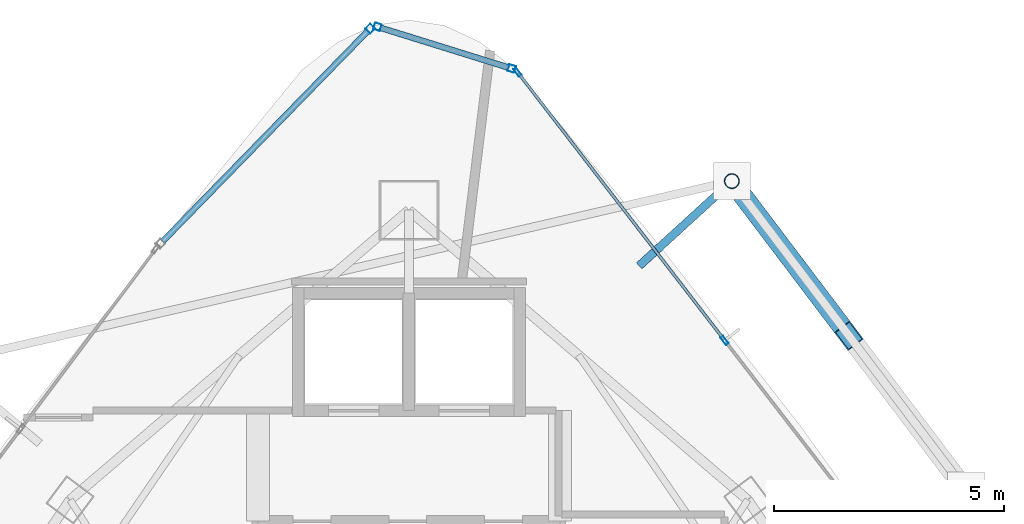
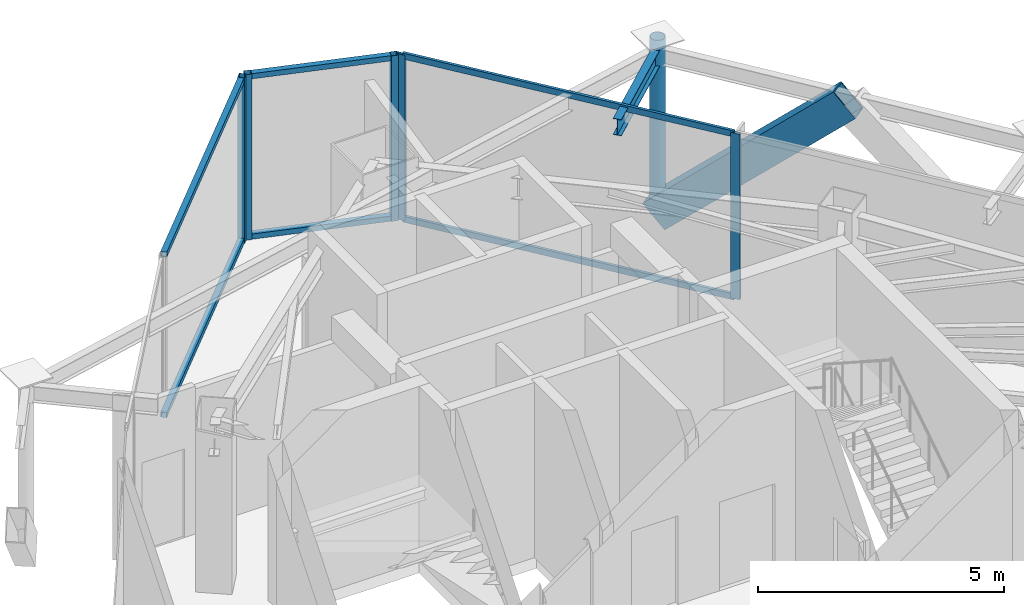
# One storey, part 18 of 25: 13 members, 1 beam, 3 elements without a shape of their own.
"""IFC4 building model written with IfcOpenShell, lengths in metres."""

from ifc_helpers import new_model, si_unit, direction, frame, origin, origin_2d, place, context, subcontext, project, spatial, hollow_rectangle, hollow_circle, i_section, extrude, material, layer, layer_set, material_profile, profile_set, type_object, element, aggregate, save


model = new_model("IFC4")

# Units and contexts
model_context = context("Model", 3, precision=1e-05, world=origin(), true_north=direction((0.0, 1.0)))
body_context = subcontext(model_context, "Body", "Model", "MODEL_VIEW")
ifc_project = project(units=[si_unit("LENGTHUNIT", "METRE"), si_unit("AREAUNIT", "SQUARE_METRE"), si_unit("VOLUMEUNIT", "CUBIC_METRE"), si_unit("PLANEANGLEUNIT", "RADIAN"), si_unit("MASSUNIT", "GRAM", prefix="KILO")], contexts=[model_context])

# Site, building, storey
site_placement = place(None, origin())
site = spatial("IfcSite", under=ifc_project, at=site_placement, CompositionType="ELEMENT")
building_placement = place(site_placement, origin())
building = spatial("IfcBuilding", under=site, at=building_placement, Name="Orvanel Arch Residences", CompositionType="ELEMENT")
storey_placement = place(building_placement, frame((0.0, 0.0, 236.0)))
storey = spatial("IfcBuildingStorey", under=building, at=storey_placement, Name="L67", CompositionType="ELEMENT", Elevation=236.0)

# Member
ifc_material_1 = material(Name="Structural steel AS/NZS 3678 Grade 350", Category="steel")
ifc_material_profile_1 = material_profile(ifc_material_1, hollow_rectangle(XDim=0.419921875, YDim=0.719970703125, WallThickness=0.02490234375, at=origin_2d()), Name="RHS720x420x25")
ifc_profile_set_1 = profile_set([ifc_material_profile_1], Name="Structural steel AS/NZS 3678 Grade 350")
member_type_1 = type_object("IfcMemberType", Name="BR-720RHS-EXT", PredefinedType="BRACE", material=ifc_profile_set_1)
member_1_placement = place(storey_placement, frame((40.007080078125, 42.029052734375, 0.0), z_axis=(0.442350381617, -0.58427325492, 0.6804049555), x_axis=(0.79727658903, 0.603614148761, 0.0)))
element("IfcMember", 1, at=member_1_placement, inside=storey, type_object=member_type_1, Name="L67 Exterior Sky-Garden V-Frame Chevron F3B3.2", PredefinedType="BRACE", context=body_context, shape_type="SweptSolid", body=[
    extrude(hollow_rectangle(XDim=0.419921875, YDim=0.719970703125, WallThickness=0.02490234375, at=origin_2d()), origin(), (0.0, 0.0, 1.0), 5.7421875),
])

# Curtain wall, members
ifc_material_2 = material(Name="Bronze-anodised aluminium AA6063-T6", Category="aluminium")
ifc_layer_1 = layer(ifc_material_2, 0.18994140625)
ifc_layer_set_1 = layer_set([ifc_layer_1], Name="Bronze-anodised aluminium AA6063-T6")
curtain_wall_type_1 = type_object("IfcCurtainWallType", Name="CW5-CRN-SYS", PredefinedType="NOTDEFINED", material=ifc_layer_set_1)
curtain_wall_1_placement = place(storey_placement, origin())
curtain_wall_1 = element("IfcCurtainWall", 2, at=curtain_wall_1_placement, inside=storey, type_object=curtain_wall_type_1, Name="L67 CW5-CRN-SYS Unitised Curtain Wall", PredefinedType="NOTDEFINED")
ifc_material_profile_2 = material_profile(ifc_material_2, hollow_rectangle(XDim=0.14990234375, YDim=0.14990234375, WallThickness=0.0048828125, at=origin_2d()), Name="ALU150x150x5")
ifc_profile_set_2 = profile_set([ifc_material_profile_2], Name="Bronze-anodised aluminium AA6063-T6")
member_type_2 = type_object("IfcMemberType", Name="MUL-150x150", PredefinedType="MULLION", material=ifc_profile_set_2)
member_2_placement = place(storey_placement, frame((35.23046875, 44.47119140625, 0.0), z_axis=(0.0, 0.0, 1.0), x_axis=(-0.297047566696, -0.954862682861, 0.0)))
member_2 = element("IfcMember", 3, at=member_2_placement, type_object=member_type_2, Name="CW-S5 mullion 1", PredefinedType="MULLION", context=body_context, shape_type="SweptSolid", body=[
    extrude(hollow_rectangle(XDim=0.14990234375, YDim=0.14990234375, WallThickness=0.0048828125, at=origin_2d()), origin(), (0.0, 0.0, 1.0), 4.110107421875),
])
member_3_placement = place(storey_placement, frame((32.316650390625, 45.377685546875, 0.0), z_axis=(0.0, 0.0, 1.0), x_axis=(-0.297047566696, -0.954862682861, 0.0)))
member_3 = element("IfcMember", 4, at=member_3_placement, type_object=member_type_2, Name="CW-S5 mullion 2", PredefinedType="MULLION", context=body_context, shape_type="SweptSolid", body=[
    extrude(hollow_rectangle(XDim=0.14990234375, YDim=0.14990234375, WallThickness=0.0048828125, at=origin_2d()), origin(), (0.0, 0.0, 1.0), 4.110107421875),
])

# Curtain wall, member
curtain_wall_2_placement = place(storey_placement, origin())
curtain_wall_2 = element("IfcCurtainWall", 5, at=curtain_wall_2_placement, inside=storey, type_object=curtain_wall_type_1, Name="L67 CW5-CRN-SYS Unitised Curtain Wall", PredefinedType="NOTDEFINED")
member_4_placement = place(storey_placement, frame((32.15966796875, 45.33837890625, 0.0), z_axis=(0.0, 0.0, 1.0), x_axis=(0.715820319149, -0.698284519873, 0.0)))
member_4 = element("IfcMember", 6, at=member_4_placement, type_object=member_type_2, Name="CW-S5 mullion 1", PredefinedType="MULLION", context=body_context, shape_type="SweptSolid", body=[
    extrude(hollow_rectangle(XDim=0.14990234375, YDim=0.14990234375, WallThickness=0.0048828125, at=origin_2d()), origin(), (0.0, 0.0, 1.0), 4.110107421875),
])

# Curtain wall, members
ifc_layer_2 = layer(ifc_material_2, 0.195068359375)
ifc_layer_set_2 = layer_set([ifc_layer_2], Name="Bronze-anodised aluminium AA6063-T6")
curtain_wall_type_2 = type_object("IfcCurtainWallType", Name="CW6-COM-SYS", PredefinedType="NOTDEFINED", material=ifc_layer_set_2)
curtain_wall_3_placement = place(storey_placement, origin())
curtain_wall_3 = element("IfcCurtainWall", 7, at=curtain_wall_3_placement, inside=storey, type_object=curtain_wall_type_2, Name="L67 CW6-COM-SYS Unitised Curtain Wall", PredefinedType="NOTDEFINED")
ifc_material_profile_3 = material_profile(ifc_material_2, hollow_rectangle(XDim=0.074951171875, YDim=0.199951171875, WallThickness=0.0048828125, at=origin_2d()), Name="ALU200x75x5")
ifc_profile_set_3 = profile_set([ifc_material_profile_3], Name="Bronze-anodised aluminium AA6063-T6")
member_type_3 = type_object("IfcMemberType", Name="MUL-200x75", PredefinedType="MULLION", material=ifc_profile_set_3)
member_5_placement = place(storey_placement, frame((39.85107421875, 38.572998046875, 0.0), z_axis=(0.0, 0.0, 1.0), x_axis=(-0.791647696508, -0.610977842981, 0.0)))
member_5 = element("IfcMember", 8, at=member_5_placement, type_object=member_type_3, Name="CW-S6 mullion 2", PredefinedType="MULLION", context=body_context, shape_type="SweptSolid", body=[
    extrude(hollow_rectangle(XDim=0.074951171875, YDim=0.199951171875, WallThickness=0.0048828125, at=origin_2d()), origin(), (0.0, 0.0, 1.0), 4.110107421875),
])
member_6_placement = place(storey_placement, frame((35.35595703125, 44.397216796875, 0.0), z_axis=(0.0, 0.0, 1.0), x_axis=(-0.791647696508, -0.610977842981, 0.0)))
member_6 = element("IfcMember", 9, at=member_6_placement, type_object=member_type_3, Name="CW-S6 mullion 3", PredefinedType="MULLION", context=body_context, shape_type="SweptSolid", body=[
    extrude(hollow_rectangle(XDim=0.074951171875, YDim=0.199951171875, WallThickness=0.0048828125, at=origin_2d()), origin(), (0.0, 0.0, 1.0), 4.110107421875),
])

# Beam
ifc_material_3 = material(Name="Structural steel AS/NZS 3679.1 Grade 300 (300 MPa)", Category="steel")
ifc_material_profile_4 = material_profile(ifc_material_3, i_section(OverallWidth=0.177978515625, OverallDepth=0.406005859375, WebThickness=0.0078125, FlangeThickness=0.0126953125, at=origin_2d()), Name="410UB59.7")
ifc_profile_set_4 = profile_set([ifc_material_profile_4], Name="Structural steel AS/NZS 3679.1 Grade 300 (300 MPa)")
beam_type = type_object("IfcBeamType", Name="OB-410UB-EXT", PredefinedType="SPANDREL", material=ifc_profile_set_4)
beam_placement = place(storey_placement, frame((37.9970703125, 40.19091796875, 3.906982421875), z_axis=(0.737953561408, 0.674851495668, 0.0), x_axis=(-0.674851495668, 0.737953561408, 0.0)))
element("IfcBeam", 10, at=beam_placement, inside=storey, type_object=beam_type, Name="L67 Outer Frame Radial Tie Beam 12", PredefinedType="SPANDREL", context=body_context, shape_type="SweptSolid", body=[
    extrude(i_section(OverallWidth=0.177978515625, OverallDepth=0.406005859375, WebThickness=0.0078125, FlangeThickness=0.0126953125, at=origin_2d()), origin(), (0.0, 0.0, 1.0), 2.723876953125),
])

# Member
ifc_material_4 = material(Name="Structural steel AS/NZS 1163 C350L0 (Grade 350)", Category="steel")
ifc_material_profile_5 = material_profile(ifc_material_4, hollow_circle(Radius=0.162109375, WallThickness=0.0126953125, at=origin_2d()), Name="CHS324x12.7")
ifc_profile_set_5 = profile_set([ifc_material_profile_5], Name="Structural steel AS/NZS 1163 C350L0 (Grade 350)")
member_type_4 = type_object("IfcMemberType", Name="ST-324CHS-EXT", PredefinedType="STRUT", material=ifc_profile_set_5)
member_7_placement = place(storey_placement, frame((40.007080078125, 42.029052734375, 0.0), z_axis=(0.0, 0.0, 1.0), x_axis=(1.0, 0.0, 0.0)))
element("IfcMember", 11, at=member_7_placement, inside=storey, type_object=member_type_4, Name="L67 Outer Perimeter Frame Post 12", PredefinedType="STRUT", context=body_context, shape_type="SweptSolid", body=[
    extrude(hollow_circle(Radius=0.162109375, WallThickness=0.0126953125, at=origin_2d()), origin(), (0.0, 0.0, 1.0), 4.35009765625),
])

ifc_material_profile_6 = material_profile(ifc_material_2, hollow_rectangle(XDim=0.1298828125, YDim=0.1298828125, WallThickness=0.00439453125, at=origin_2d()), Name="ALU130x130x4.5")
ifc_profile_set_6 = profile_set([ifc_material_profile_6], Name="Bronze-anodised aluminium AA6063-T6")
member_type_5 = type_object("IfcMemberType", Name="TRN-130x130", PredefinedType="USERDEFINED", material=ifc_profile_set_6)
member_8_placement = place(storey_placement, frame((35.15869140625, 44.49365234375, 0.06494140625), z_axis=(-0.954868444399, 0.297029045535, 0.0), x_axis=(-0.297029045535, -0.954868444399, 0.0)))
member_8 = element("IfcMember", 12, at=member_8_placement, type_object=member_type_5, Name="CW-S5 transom 1.1", ObjectType="TRANSOM", PredefinedType="USERDEFINED", context=body_context, shape_type="SweptSolid", body=[
    extrude(hollow_rectangle(XDim=0.1298828125, YDim=0.1298828125, WallThickness=0.00439453125, at=origin_2d()), origin(), (0.0, 0.0, 1.0), 2.9013671875),
])

member_9_placement = place(storey_placement, frame((35.15869140625, 44.49365234375, 4.044921875), z_axis=(-0.954868444399, 0.297029045535, 0.0), x_axis=(-0.297029045535, -0.954868444399, 0.0)))
member_9 = element("IfcMember", 13, at=member_9_placement, type_object=member_type_5, Name="CW-S5 transom 1.2", ObjectType="TRANSOM", PredefinedType="USERDEFINED", context=body_context, shape_type="SweptSolid", body=[
    extrude(hollow_rectangle(XDim=0.1298828125, YDim=0.1298828125, WallThickness=0.00439453125, at=origin_2d()), origin(), (0.0, 0.0, 1.0), 2.9013671875),
])

aggregate(curtain_wall_1, [member_2, member_3, member_8, member_9])

member_10_placement = place(storey_placement, frame((32.107177734375, 45.28466796875, 0.06494140625), z_axis=(-0.698278366285, -0.715826321937, 0.0), x_axis=(0.715826321937, -0.698278366285, 0.0)))
member_10 = element("IfcMember", 14, at=member_10_placement, type_object=member_type_5, Name="CW-S5 transom 1.1", ObjectType="TRANSOM", PredefinedType="USERDEFINED", context=body_context, shape_type="SweptSolid", body=[
    extrude(hollow_rectangle(XDim=0.1298828125, YDim=0.1298828125, WallThickness=0.00439453125, at=origin_2d()), origin(), (0.0, 0.0, 1.0), 6.3720703125),
])

member_11_placement = place(storey_placement, frame((32.107177734375, 45.28466796875, 4.044921875), z_axis=(-0.698278366285, -0.715826321937, 0.0), x_axis=(0.715826321937, -0.698278366285, 0.0)))
member_11 = element("IfcMember", 15, at=member_11_placement, type_object=member_type_5, Name="CW-S5 transom 1.2", ObjectType="TRANSOM", PredefinedType="USERDEFINED", context=body_context, shape_type="SweptSolid", body=[
    extrude(hollow_rectangle(XDim=0.1298828125, YDim=0.1298828125, WallThickness=0.00439453125, at=origin_2d()), origin(), (0.0, 0.0, 1.0), 6.3720703125),
])

aggregate(curtain_wall_2, [member_4, member_10, member_11])

ifc_material_profile_7 = material_profile(ifc_material_2, hollow_rectangle(XDim=0.06494140625, YDim=0.14990234375, WallThickness=0.00390625, at=origin_2d()), Name="ALU150x65x4")
ifc_profile_set_7 = profile_set([ifc_material_profile_7], Name="Bronze-anodised aluminium AA6063-T6")
member_type_6 = type_object("IfcMemberType", Name="TRN-150x65", PredefinedType="USERDEFINED", material=ifc_profile_set_7)
member_12_placement = place(storey_placement, frame((39.828125, 38.602783203125, 0.032470703125), z_axis=(-0.610976988763, 0.791648355776, 0.0), x_axis=(-0.791648355776, -0.610976988763, 0.0)))
member_12 = element("IfcMember", 16, at=member_12_placement, type_object=member_type_6, Name="CW-S6 transom 2.1", ObjectType="TRANSOM", PredefinedType="USERDEFINED", context=body_context, shape_type="SweptSolid", body=[
    extrude(hollow_rectangle(XDim=0.06494140625, YDim=0.14990234375, WallThickness=0.00390625, at=origin_2d()), origin(), (0.0, 0.0, 1.0), 7.2822265625),
])

member_13_placement = place(storey_placement, frame((39.828125, 38.602783203125, 4.077392578125), z_axis=(-0.610976988763, 0.791648355776, 0.0), x_axis=(-0.791648355776, -0.610976988763, 0.0)))
member_13 = element("IfcMember", 17, at=member_13_placement, type_object=member_type_6, Name="CW-S6 transom 2.2", ObjectType="TRANSOM", PredefinedType="USERDEFINED", context=body_context, shape_type="SweptSolid", body=[
    extrude(hollow_rectangle(XDim=0.06494140625, YDim=0.14990234375, WallThickness=0.00390625, at=origin_2d()), origin(), (0.0, 0.0, 1.0), 7.2822265625),
])

aggregate(curtain_wall_3, [member_5, member_6, member_12, member_13])

save(model, "model.ifc")
